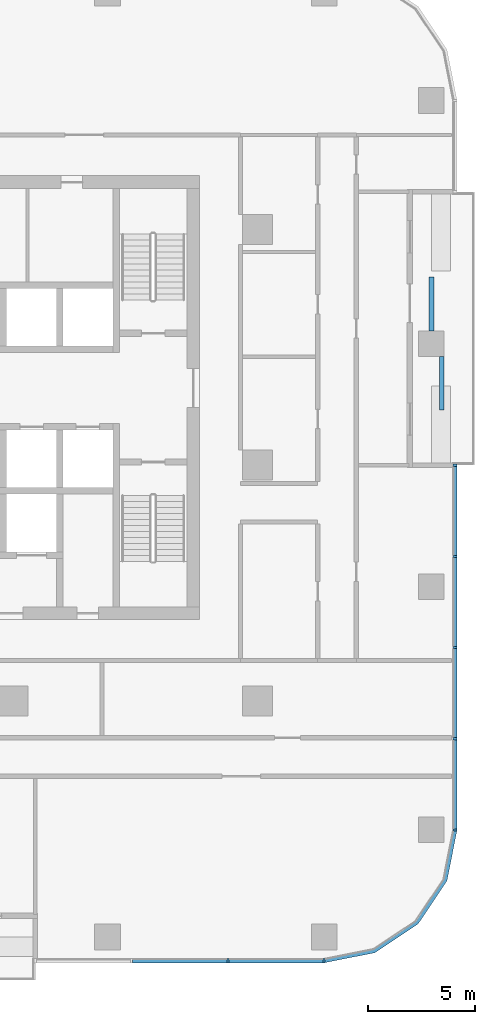
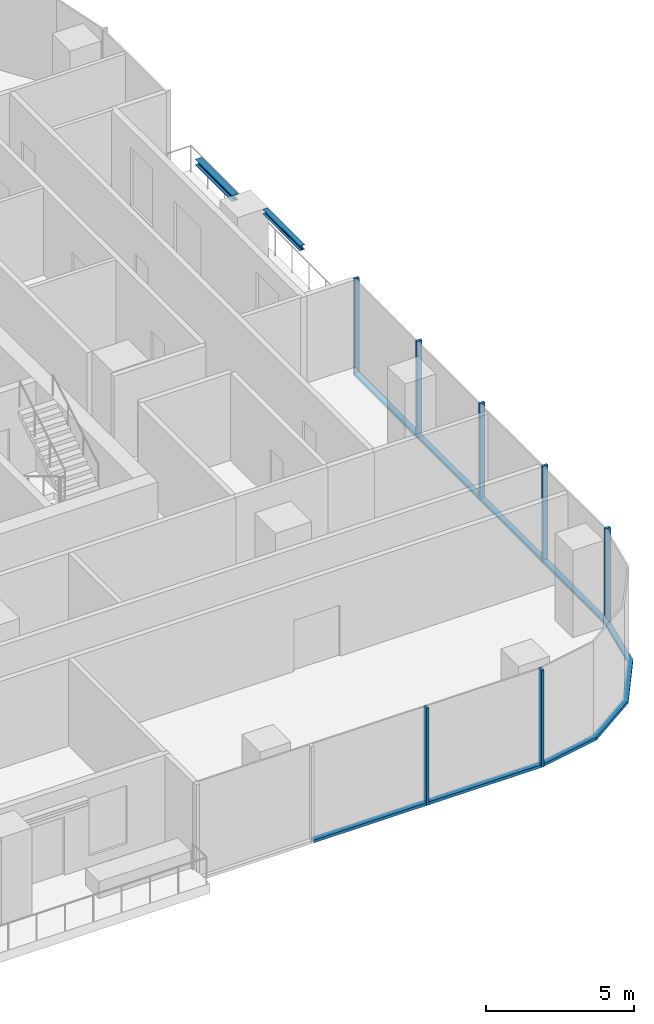
# One storey, part 3 of 15: 14 members, 2 beams, 3 elements without a shape of their own.
"""IFC4 building model written with IfcOpenShell, lengths in metres."""

from ifc_helpers import new_model, si_unit, direction, frame, origin, origin_2d, place, context, subcontext, project, spatial, polyline, rectangle, i_section, outline, extrude, material, material_profile, profile_set, type_object, element, aggregate, save


model = new_model("IFC4")

# Units and contexts
model_context = context("Model", 3, precision=1e-05, world=origin(), true_north=direction((0.0, 1.0)))
body_context = subcontext(model_context, "Body", "Model", "MODEL_VIEW")
ifc_project = project(units=[si_unit("LENGTHUNIT", "METRE"), si_unit("AREAUNIT", "SQUARE_METRE"), si_unit("VOLUMEUNIT", "CUBIC_METRE"), si_unit("PLANEANGLEUNIT", "RADIAN"), si_unit("MASSUNIT", "GRAM", prefix="KILO")], contexts=[model_context])

# Site, building, storey
site_placement = place(None, origin())
site = spatial("IfcSite", under=ifc_project, at=site_placement, CompositionType="ELEMENT")
building_placement = place(site_placement, origin())
building = spatial("IfcBuilding", under=site, at=building_placement, Name="Mopane Tessera Tower", CompositionType="ELEMENT")
storey_placement = place(building_placement, frame((0.0, 0.0, 173.0)))
storey = spatial("IfcBuildingStorey", under=building, at=storey_placement, Name="L35", CompositionType="ELEMENT", Elevation=173.0)

# Curtain wall, members
ifc_material_1 = material(Name="Aluminium frame", Category="aluminium")
curtain_wall_type = type_object("IfcCurtainWallType", Name="Unitised curtain wall", PredefinedType="NOTDEFINED", material=ifc_material_1)
curtain_wall_1_placement = place(storey_placement, origin())
curtain_wall_1 = element("IfcCurtainWall", 1, at=curtain_wall_1_placement, inside=storey, type_object=curtain_wall_type, Name="e:cw:L35:S:6", PredefinedType="NOTDEFINED")
ifc_material_2 = material(Name="Aluminium frame", Category="aluminium")
ifc_material_profile_1 = material_profile(ifc_material_2, rectangle(XDim=0.10009765625, YDim=0.199951171875, at=origin_2d()))
ifc_profile_set_1 = profile_set([ifc_material_profile_1], Name="Aluminium frame")
member_type_1 = type_object("IfcMemberType", Name="Aluminium mullion 100 x 200", PredefinedType="MULLION", material=ifc_profile_set_1)
member_1_placement = place(storey_placement, frame((15.711181640625, -23.10009765625, -0.39990234375), z_axis=(0.0, 0.0, 1.0), x_axis=(1.0, 0.0, 0.0)))
member_1 = element("IfcMember", 2, at=member_1_placement, type_object=member_type_1, Name="e:cw:L35:S:6:mu8", PredefinedType="MULLION", context=body_context, shape_type="SweptSolid", body=[
    extrude(rectangle(XDim=0.10009765625, YDim=0.199951171875, at=origin_2d()), origin(), (0.0, 0.0, 1.0), 4.0),
])
member_2_placement = place(storey_placement, frame((20.199951171875, -23.10009765625, -0.39990234375), z_axis=(0.0, 0.0, 1.0), x_axis=(1.0, 0.0, 0.0)))
member_2 = element("IfcMember", 3, at=member_2_placement, type_object=member_type_1, Name="e:cw:L35:S:6:mu9", PredefinedType="MULLION", context=body_context, shape_type="SweptSolid", body=[
    extrude(rectangle(XDim=0.10009765625, YDim=0.199951171875, at=origin_2d()), origin(), (0.0, 0.0, 1.0), 4.0),
])

curtain_wall_2_placement = place(storey_placement, origin())
curtain_wall_2 = element("IfcCurtainWall", 4, at=curtain_wall_2_placement, inside=storey, type_object=curtain_wall_type, Name="e:cw:L35:E:0", PredefinedType="NOTDEFINED")
member_3_placement = place(storey_placement, frame((26.300048828125, -17.0, -0.39990234375), z_axis=(0.0, 0.0, 1.0), x_axis=(0.0, 1.0, 0.0)))
member_3 = element("IfcMember", 5, at=member_3_placement, type_object=member_type_1, Name="e:cw:L35:E:0:mu0", PredefinedType="MULLION", context=body_context, shape_type="SweptSolid", body=[
    extrude(rectangle(XDim=0.10009765625, YDim=0.199951171875, at=origin_2d()), origin(), (0.0, 0.0, 1.0), 4.0),
])
member_4_placement = place(storey_placement, frame((26.300048828125, -12.75, -0.39990234375), z_axis=(0.0, 0.0, 1.0), x_axis=(0.0, 1.0, 0.0)))
member_4 = element("IfcMember", 6, at=member_4_placement, type_object=member_type_1, Name="e:cw:L35:E:0:mu1", PredefinedType="MULLION", context=body_context, shape_type="SweptSolid", body=[
    extrude(rectangle(XDim=0.10009765625, YDim=0.199951171875, at=origin_2d()), origin(), (0.0, 0.0, 1.0), 4.0),
])
member_5_placement = place(storey_placement, frame((26.300048828125, -8.5, -0.39990234375), z_axis=(0.0, 0.0, 1.0), x_axis=(0.0, 1.0, 0.0)))
member_5 = element("IfcMember", 7, at=member_5_placement, type_object=member_type_1, Name="e:cw:L35:E:0:mu2", PredefinedType="MULLION", context=body_context, shape_type="SweptSolid", body=[
    extrude(rectangle(XDim=0.10009765625, YDim=0.199951171875, at=origin_2d()), origin(), (0.0, 0.0, 1.0), 4.0),
])
member_6_placement = place(storey_placement, frame((26.300048828125, -4.25, -0.39990234375), z_axis=(0.0, 0.0, 1.0), x_axis=(0.0, 1.0, 0.0)))
member_6 = element("IfcMember", 8, at=member_6_placement, type_object=member_type_1, Name="e:cw:L35:E:0:mu3", PredefinedType="MULLION", context=body_context, shape_type="SweptSolid", body=[
    extrude(rectangle(XDim=0.10009765625, YDim=0.199951171875, at=origin_2d()), origin(), (0.0, 0.0, 1.0), 4.0),
])
member_7_placement = place(storey_placement, frame((26.300048828125, 0.0, -0.39990234375), z_axis=(0.0, 0.0, 1.0), x_axis=(0.0, 1.0, 0.0)))
member_7 = element("IfcMember", 9, at=member_7_placement, type_object=member_type_1, Name="e:cw:L35:E:0:mu4", PredefinedType="MULLION", context=body_context, shape_type="SweptSolid", body=[
    extrude(rectangle(XDim=0.10009765625, YDim=0.199951171875, at=origin_2d()), origin(), (0.0, 0.0, 1.0), 4.0),
])

# Member
ifc_material_3 = material(Name="Aluminium frame", Category="aluminium")
ifc_material_profile_2 = material_profile(ifc_material_3, rectangle(XDim=0.199951171875, YDim=0.1201171875, at=origin_2d()))
ifc_profile_set_2 = profile_set([ifc_material_profile_2], Name="Aluminium frame")
member_type_2 = type_object("IfcMemberType", Name="Aluminium transom 200 x 120", PredefinedType="USERDEFINED", material=ifc_profile_set_2)
member_8_placement = place(storey_placement, frame((11.272216796875, -23.10009765625, -0.340087890625), z_axis=(1.0, 0.0, 0.0), x_axis=(0.0, 1.0, 0.0)))
member_8 = element("IfcMember", 10, at=member_8_placement, type_object=member_type_2, Name="e:cw:L35:S:6:tr7", ObjectType="TRANSOM", PredefinedType="USERDEFINED", context=body_context, shape_type="SweptSolid", body=[
    extrude(rectangle(XDim=0.199951171875, YDim=0.1201171875, at=origin_2d()), origin(), (0.0, 0.0, 1.0), 4.388916015625),
])

member_9_placement = place(storey_placement, frame((15.76123046875, -23.10009765625, -0.340087890625), z_axis=(1.0, 0.0, 0.0), x_axis=(0.0, 1.0, 0.0)))
member_9 = element("IfcMember", 11, at=member_9_placement, type_object=member_type_2, Name="e:cw:L35:S:6:tr8", ObjectType="TRANSOM", PredefinedType="USERDEFINED", context=body_context, shape_type="SweptSolid", body=[
    extrude(rectangle(XDim=0.199951171875, YDim=0.1201171875, at=origin_2d()), origin(), (0.0, 0.0, 1.0), 4.388671875),
])

aggregate(curtain_wall_1, [member_1, member_2, member_8, member_9])

# Curtain wall, member
curtain_wall_3_placement = place(storey_placement, origin())
curtain_wall_3 = element("IfcCurtainWall", 12, at=curtain_wall_3_placement, inside=storey, type_object=curtain_wall_type, Name="e:cw:L35:CS", PredefinedType="NOTDEFINED")
member_10_placement = place(storey_placement, frame((0.0, 0.0, -0.39990234375)))
member_10 = element("IfcMember", 13, at=member_10_placement, type_object=member_type_2, Name="e:cw:L35:CS:tr", ObjectType="TRANSOM", PredefinedType="USERDEFINED", context=body_context, shape_type="SweptSolid", body=[
    extrude(outline(polyline([(20.199951171875, -23.0), (22.49609375, -22.543212890625), (24.442626953125, -21.24267578125), (25.7431640625, -19.296142578125), (26.199951171875, -17.0), (26.39990234375, -17.0), (25.927978515625, -19.37255859375), (24.583984375, -21.384033203125), (22.57275390625, -22.72802734375), (20.199951171875, -23.199951171875), (20.199951171875, -23.0)])), origin(), (0.0, 0.0, 1.0), 0.119873046875),
])
aggregate(curtain_wall_3, [member_10])

# Member
member_11_placement = place(storey_placement, frame((26.300048828125, -16.949951171875, -0.340087890625), z_axis=(0.0, 1.0, 0.0), x_axis=(-1.0, 0.0, 0.0)))
member_11 = element("IfcMember", 14, at=member_11_placement, type_object=member_type_2, Name="e:cw:L35:E:0:tr0", ObjectType="TRANSOM", PredefinedType="USERDEFINED", context=body_context, shape_type="SweptSolid", body=[
    extrude(rectangle(XDim=0.199951171875, YDim=0.1201171875, at=origin_2d()), origin(), (0.0, 0.0, 1.0), 4.14990234375),
])

member_12_placement = place(storey_placement, frame((26.300048828125, -12.699951171875, -0.340087890625), z_axis=(0.0, 1.0, 0.0), x_axis=(-1.0, 0.0, 0.0)))
member_12 = element("IfcMember", 15, at=member_12_placement, type_object=member_type_2, Name="e:cw:L35:E:0:tr1", ObjectType="TRANSOM", PredefinedType="USERDEFINED", context=body_context, shape_type="SweptSolid", body=[
    extrude(rectangle(XDim=0.199951171875, YDim=0.1201171875, at=origin_2d()), origin(), (0.0, 0.0, 1.0), 4.14990234375),
])

member_13_placement = place(storey_placement, frame((26.300048828125, -8.449951171875, -0.340087890625), z_axis=(0.0, 1.0, 0.0), x_axis=(-1.0, 0.0, 0.0)))
member_13 = element("IfcMember", 16, at=member_13_placement, type_object=member_type_2, Name="e:cw:L35:E:0:tr2", ObjectType="TRANSOM", PredefinedType="USERDEFINED", context=body_context, shape_type="SweptSolid", body=[
    extrude(rectangle(XDim=0.199951171875, YDim=0.1201171875, at=origin_2d()), origin(), (0.0, 0.0, 1.0), 4.14990234375),
])

member_14_placement = place(storey_placement, frame((26.300048828125, -4.199951171875, -0.340087890625), z_axis=(0.0, 1.0, 0.0), x_axis=(-1.0, 0.0, 0.0)))
member_14 = element("IfcMember", 17, at=member_14_placement, type_object=member_type_2, Name="e:cw:L35:E:0:tr3", ObjectType="TRANSOM", PredefinedType="USERDEFINED", context=body_context, shape_type="SweptSolid", body=[
    extrude(rectangle(XDim=0.199951171875, YDim=0.1201171875, at=origin_2d()), origin(), (0.0, 0.0, 1.0), 4.14990234375),
])

aggregate(curtain_wall_2, [member_3, member_4, member_5, member_6, member_7, member_11, member_12, member_13, member_14])

# Beams
ifc_material_4 = material(Name="Structural steel S460", Category="steel")
ifc_material_profile_3 = material_profile(ifc_material_4, i_section(OverallWidth=0.239990234375, OverallDepth=0.239990234375, WebThickness=0.010009765625, FlangeThickness=0.01708984375, FilletRadius=0.02099609375, at=origin_2d()))
ifc_profile_set_3 = profile_set([ifc_material_profile_3], Name="Structural steel S460")
beam_type_1 = type_object("IfcBeamType", Name="Terrace spandrel beam HE 240 B", PredefinedType="SPANDREL", material=ifc_profile_set_3)
beam_1_placement = place(storey_placement, frame((25.199951171875, 6.269775390625, 3.47998046875), z_axis=(0.0, 1.0, 0.0), x_axis=(-1.0, 0.0, 0.0)))
element("IfcBeam", 18, at=beam_1_placement, inside=storey, type_object=beam_type_1, Name="Terrace spandrel beam N3 L36", PredefinedType="SPANDREL", context=body_context, shape_type="SweptSolid", body=[
    extrude(i_section(OverallWidth=0.239990234375, OverallDepth=0.239990234375, WebThickness=0.010009765625, FlangeThickness=0.01708984375, FilletRadius=0.02099609375, at=origin_2d()), origin(), (0.0, 0.0, 1.0), 2.5),
])
ifc_material_5 = material(Name="Structural steel S460", Category="steel")
ifc_material_profile_4 = material_profile(ifc_material_5, i_section(OverallWidth=0.199951171875, OverallDepth=0.199951171875, WebThickness=0.009033203125, FlangeThickness=0.014892578125, FilletRadius=0.01806640625, at=origin_2d()))
ifc_profile_set_4 = profile_set([ifc_material_profile_4], Name="Structural steel S460")
beam_type_2 = type_object("IfcBeamType", Name="Terrace trimmer beam HE 200 B", PredefinedType="BEAM", material=ifc_profile_set_4)
beam_2_placement = place(storey_placement, frame((25.679931640625, 5.063720703125, 3.5), z_axis=(0.0, -1.0, 0.0), x_axis=(1.0, 0.0, 0.0)))
element("IfcBeam", 19, at=beam_2_placement, inside=storey, type_object=beam_type_2, Name="Terrace trimmer beam N3 L36", PredefinedType="BEAM", context=body_context, shape_type="SweptSolid", body=[
    extrude(i_section(OverallWidth=0.199951171875, OverallDepth=0.199951171875, WebThickness=0.009033203125, FlangeThickness=0.014892578125, FilletRadius=0.01806640625, at=origin_2d()), origin(), (0.0, 0.0, 1.0), 2.5),
])

save(model, "model.ifc")
